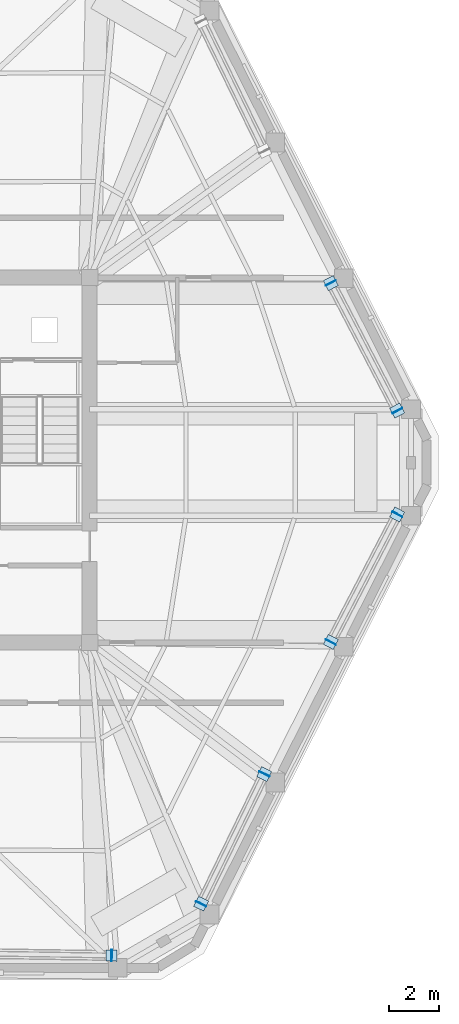
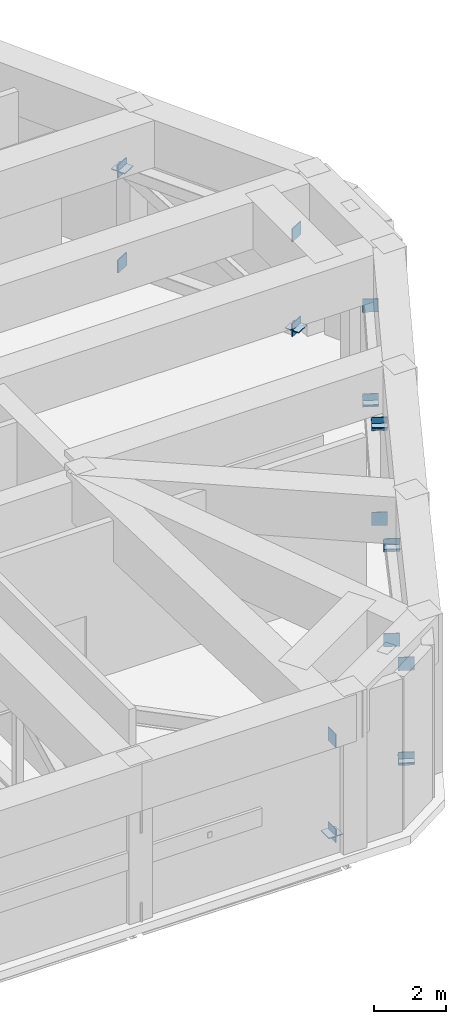
# One storey, part 8 of 15: 21 plates.
"""IFC4 building model written with IfcOpenShell, lengths in metres."""

from ifc_helpers import new_model, si_unit, direction, frame, origin, origin_2d, place, context, subcontext, project, spatial, rectangle, extrude, material, layer, layer_set, type_object, element, save


model = new_model("IFC4")

# Units and contexts
model_context = context("Model", 3, precision=1e-05, world=origin(), true_north=direction((0.0, 1.0)))
body_context = subcontext(model_context, "Body", "Model", "MODEL_VIEW")
ifc_project = project(units=[si_unit("LENGTHUNIT", "METRE"), si_unit("AREAUNIT", "SQUARE_METRE"), si_unit("VOLUMEUNIT", "CUBIC_METRE"), si_unit("PLANEANGLEUNIT", "RADIAN"), si_unit("MASSUNIT", "GRAM", prefix="KILO")], contexts=[model_context])

# Site, building, storey
site_placement = place(None, origin())
site = spatial("IfcSite", under=ifc_project, at=site_placement, CompositionType="ELEMENT")
building_placement = place(site_placement, origin())
building = spatial("IfcBuilding", under=site, at=building_placement, Name="Cinnabar Lancet Tower", CompositionType="ELEMENT")
storey_placement = place(building_placement, frame((0.0, 0.0, 221.60009765625)))
storey = spatial("IfcBuildingStorey", under=building, at=storey_placement, Name="L59", CompositionType="ELEMENT", Elevation=221.60009765625)

# Plates
ifc_material = material(Name="Structural steel S460", Category="steel")
ifc_layer = layer(ifc_material, 0.030029296875)
ifc_layer_set = layer_set([ifc_layer], Name="Structural steel S460")
plate_type = type_object("IfcPlateType", Name="STR-PL-CAP-25", PredefinedType="SHEET", material=ifc_layer_set)
for number, where, z_axis, x_axis, name in (
    (1, (42.576904296875, 6.077880859375, -0.0048828125), (0.0, 0.0, 1.0), (0.999875533467, -0.015777121831, 0.0), "Hollow section end cap plate CP-BTC-L59-1-3-BC1"),
    (2, (42.576904296875, 6.077880859375, 3.22509765625), (0.0, 0.0, 1.0), (0.999875533467, -0.015777121831, 0.0), "Hollow section end cap plate CP-BTC-L59-1-3-TC1"),
):
    element("IfcPlate", number, at=place(storey_placement, frame(where, z_axis=z_axis, x_axis=x_axis)), inside=storey, type_object=plate_type, Name=name, PredefinedType="SHEET", context=body_context, shape_type="SweptSolid", body=[
        extrude(rectangle(XDim=0.030029296875, YDim=0.449951171875, at=origin_2d()), origin(), (0.0, 0.0, 1.0), 0.449951171875),
    ])
plate_placement = place(storey_placement, frame((42.569091796875, 6.077880859375, 0.19482421875), z_axis=(0.0, 0.0, 1.0), x_axis=(0.999875533467, -0.015777121831, 0.0)))
element("IfcPlate", 3, at=plate_placement, inside=storey, type_object=plate_type, Name="Hollow section end cap plate CP-BTD-L59-1-3-1", PredefinedType="SHEET", context=body_context, shape_type="SweptSolid", body=[
    extrude(rectangle(XDim=0.449951171875, YDim=0.449951171875, at=origin_2d()), origin(), (0.0, 0.0, 1.0), 0.030029296875),
])
for number, where, z_axis, x_axis, name in (
    (4, (46.153076171875, 8.14501953125, -0.0048828125), (0.0, 0.0, 1.0), (-0.437963241868, -0.898992880268, 0.0), "Hollow section end cap plate CP-BTC-L59-2-1-BC0"),
    (5, (48.68603515625, 13.342041015625, -0.0048828125), (0.0, 0.0, 1.0), (0.437963241868, 0.898992880268, 0.0), "Hollow section end cap plate CP-BTC-L59-2-1-BC1"),
    (6, (46.153076171875, 8.14501953125, 3.22509765625), (0.0, 0.0, 1.0), (-0.437963241868, -0.898992880268, 0.0), "Hollow section end cap plate CP-BTC-L59-2-1-TC0"),
    (7, (48.68603515625, 13.342041015625, 3.22509765625), (0.0, 0.0, 1.0), (0.437963241868, 0.898992880268, 0.0), "Hollow section end cap plate CP-BTC-L59-2-1-TC1"),
):
    element("IfcPlate", number, at=place(storey_placement, frame(where, z_axis=z_axis, x_axis=x_axis)), inside=storey, type_object=plate_type, Name=name, PredefinedType="SHEET", context=body_context, shape_type="SweptSolid", body=[
        extrude(rectangle(XDim=0.030029296875, YDim=0.449951171875, at=origin_2d()), origin(), (0.0, 0.0, 1.0), 0.449951171875),
    ])
for number, where, z_axis, x_axis, name in (
    (8, (46.156982421875, 8.152099609375, 0.19482421875), (0.0, 0.0, 1.0), (-0.437963241868, -0.898992880268, 0.0), "Hollow section end cap plate CP-BTD-L59-2-1-0"),
    (9, (48.681884765625, 13.3349609375, 3.44482421875), (0.0, 0.0, 1.0), (0.437963241868, 0.898992880268, 0.0), "Hollow section end cap plate CP-BTD-L59-2-1-1"),
):
    element("IfcPlate", number, at=place(storey_placement, frame(where, z_axis=z_axis, x_axis=x_axis)), inside=storey, type_object=plate_type, Name=name, PredefinedType="SHEET", context=body_context, shape_type="SweptSolid", body=[
        extrude(rectangle(XDim=0.449951171875, YDim=0.449951171875, at=origin_2d()), origin(), (0.0, 0.0, 1.0), 0.030029296875),
    ])
for number, where, z_axis, x_axis, name in (
    (10, (51.340087890625, 18.616943359375, -0.0048828125), (0.0, 0.0, 1.0), (-0.462120122944, -0.88681733856, 0.0), "Hollow section end cap plate CP-BTC-L59-2-3-BC0"),
    (11, (54.00390625, 23.72802734375, -0.0048828125), (0.0, 0.0, 1.0), (0.462120122944, 0.88681733856, 0.0), "Hollow section end cap plate CP-BTC-L59-2-3-BC1"),
    (12, (51.340087890625, 18.616943359375, 3.22509765625), (0.0, 0.0, 1.0), (-0.462120122944, -0.88681733856, 0.0), "Hollow section end cap plate CP-BTC-L59-2-3-TC0"),
    (13, (54.00390625, 23.72802734375, 3.22509765625), (0.0, 0.0, 1.0), (0.462120122944, 0.88681733856, 0.0), "Hollow section end cap plate CP-BTC-L59-2-3-TC1"),
):
    element("IfcPlate", number, at=place(storey_placement, frame(where, z_axis=z_axis, x_axis=x_axis)), inside=storey, type_object=plate_type, Name=name, PredefinedType="SHEET", context=body_context, shape_type="SweptSolid", body=[
        extrude(rectangle(XDim=0.030029296875, YDim=0.449951171875, at=origin_2d()), origin(), (0.0, 0.0, 1.0), 0.449951171875),
    ])
for number, where, z_axis, x_axis, name in (
    (14, (51.343994140625, 18.6240234375, 3.44482421875), (0.0, 0.0, 1.0), (-0.462120122944, -0.88681733856, 0.0), "Hollow section end cap plate CP-BTD-L59-2-3-0"),
    (15, (54.0, 23.720947265625, 0.19482421875), (0.0, 0.0, 1.0), (0.462120122944, 0.88681733856, 0.0), "Hollow section end cap plate CP-BTD-L59-2-3-1"),
):
    element("IfcPlate", number, at=place(storey_placement, frame(where, z_axis=z_axis, x_axis=x_axis)), inside=storey, type_object=plate_type, Name=name, PredefinedType="SHEET", context=body_context, shape_type="SweptSolid", body=[
        extrude(rectangle(XDim=0.449951171875, YDim=0.449951171875, at=origin_2d()), origin(), (0.0, 0.0, 1.0), 0.030029296875),
    ])
for number, where, z_axis, x_axis, name in (
    (16, (54.00390625, 27.8720703125, -0.0048828125), (0.0, 0.0, 1.0), (0.462120122944, -0.88681733856, 0.0), "Hollow section end cap plate CP-BTC-L59-3-1-BC0"),
    (17, (51.340087890625, 32.98291015625, -0.0048828125), (0.0, 0.0, 1.0), (-0.462120122944, 0.88681733856, 0.0), "Hollow section end cap plate CP-BTC-L59-3-1-BC1"),
    (18, (54.00390625, 27.8720703125, 3.22509765625), (0.0, 0.0, 1.0), (0.462120122944, -0.88681733856, 0.0), "Hollow section end cap plate CP-BTC-L59-3-1-TC0"),
    (19, (51.340087890625, 32.98291015625, 3.22509765625), (0.0, 0.0, 1.0), (-0.462120122944, 0.88681733856, 0.0), "Hollow section end cap plate CP-BTC-L59-3-1-TC1"),
):
    element("IfcPlate", number, at=place(storey_placement, frame(where, z_axis=z_axis, x_axis=x_axis)), inside=storey, type_object=plate_type, Name=name, PredefinedType="SHEET", context=body_context, shape_type="SweptSolid", body=[
        extrude(rectangle(XDim=0.030029296875, YDim=0.449951171875, at=origin_2d()), origin(), (0.0, 0.0, 1.0), 0.449951171875),
    ])
for number, where, z_axis, x_axis, name in (
    (20, (54.0, 27.87890625, 0.19482421875), (0.0, 0.0, 1.0), (0.462120122944, -0.88681733856, 0.0), "Hollow section end cap plate CP-BTD-L59-3-1-0"),
    (21, (51.343994140625, 32.97607421875, 3.44482421875), (0.0, 0.0, 1.0), (-0.462120122944, 0.88681733856, 0.0), "Hollow section end cap plate CP-BTD-L59-3-1-1"),
):
    element("IfcPlate", number, at=place(storey_placement, frame(where, z_axis=z_axis, x_axis=x_axis)), inside=storey, type_object=plate_type, Name=name, PredefinedType="SHEET", context=body_context, shape_type="SweptSolid", body=[
        extrude(rectangle(XDim=0.449951171875, YDim=0.449951171875, at=origin_2d()), origin(), (0.0, 0.0, 1.0), 0.030029296875),
    ])

save(model, "model.ifc")
